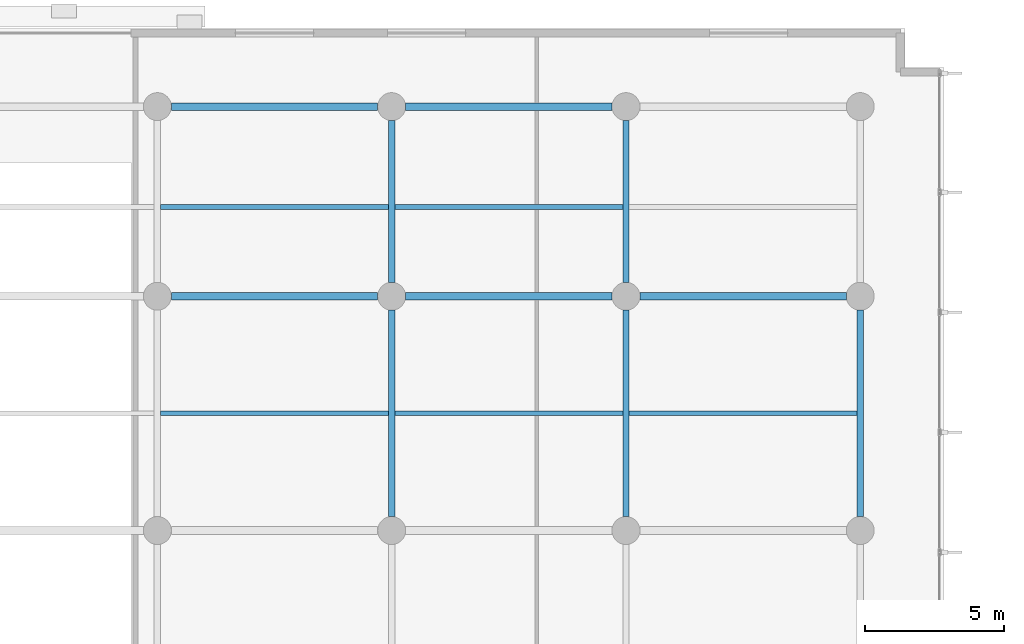
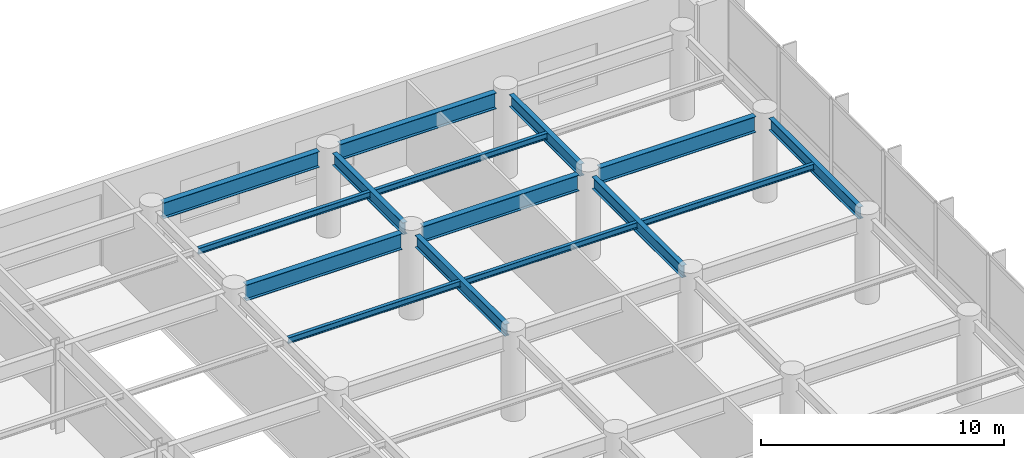
# One storey, part 10 of 26: 15 beams.
"""IFC4 building model written with IfcOpenShell, lengths in metres."""

from ifc_helpers import new_model, si_unit, direction, frame, origin, origin_2d, place, context, subcontext, project, spatial, i_section, extrude, material, material_profile, profile_set, type_object, element, save


model = new_model("IFC4")

# Units and contexts
model_context = context("Model", 3, precision=1e-05, world=origin(), true_north=direction((0.0, 1.0)))
body_context = subcontext(model_context, "Body", "Model", "MODEL_VIEW")
ifc_project = project(units=[si_unit("LENGTHUNIT", "METRE"), si_unit("AREAUNIT", "SQUARE_METRE"), si_unit("VOLUMEUNIT", "CUBIC_METRE"), si_unit("PLANEANGLEUNIT", "RADIAN"), si_unit("MASSUNIT", "GRAM", prefix="KILO")], contexts=[model_context])

# Site, building, storey
site_placement = place(None, origin())
site = spatial("IfcSite", under=ifc_project, at=site_placement, CompositionType="ELEMENT")
building_placement = place(site_placement, origin())
building = spatial("IfcBuilding", under=site, at=building_placement, Name="Varnakote Quay Hospital", CompositionType="ELEMENT")
storey_placement = place(building_placement, origin())
storey = spatial("IfcBuildingStorey", under=building, at=storey_placement, Name="L00", CompositionType="ELEMENT", Elevation=0.0)

# Beams
ifc_material_1 = material(Name="Structural steel AS/NZS 3679.1 Grade 350 L0 (fy 340 MPa)", Category="steel")
ifc_material_profile_1 = material_profile(ifc_material_1, i_section(OverallWidth=0.22802734375, OverallDepth=0.60205078125, WebThickness=0.010498046875, FlangeThickness=0.014892578125, FilletRadius=0.013916015625, at=origin_2d()), Name="610UB101")
ifc_profile_set_1 = profile_set([ifc_material_profile_1], Name="Structural steel AS/NZS 3679.1 Grade 350 L0 (fy 340 MPa)")
beam_type_1 = type_object("IfcBeamType", Name="BM-STL-610UB101", PredefinedType="BEAM", material=ifc_profile_set_1)
beam_1_placement = place(storey_placement, frame((67.199951171875, 29.300048828125, 3.948974609375), z_axis=(0.0, 1.0, 0.0), x_axis=(-1.0, 0.0, 0.0)))
element("IfcBeam", 1, at=beam_1_placement, inside=storey, type_object=beam_type_1, Name="L00 Primary Tie Beam", PredefinedType="BEAM", context=body_context, shape_type="SweptSolid", body=[
    extrude(i_section(OverallWidth=0.22802734375, OverallDepth=0.60205078125, WebThickness=0.010498046875, FlangeThickness=0.014892578125, FilletRadius=0.013916015625, at=origin_2d()), origin(), (0.0, 0.0, 1.0), 7.39990234375),
])
beam_2_placement = place(storey_placement, frame((67.199951171875, 37.699951171875, 3.948974609375), z_axis=(0.0, 1.0, 0.0), x_axis=(-1.0, 0.0, 0.0)))
element("IfcBeam", 2, at=beam_2_placement, inside=storey, type_object=beam_type_1, Name="L00 Primary Tie Beam", PredefinedType="BEAM", context=body_context, shape_type="SweptSolid", body=[
    extrude(i_section(OverallWidth=0.22802734375, OverallDepth=0.60205078125, WebThickness=0.010498046875, FlangeThickness=0.014892578125, FilletRadius=0.013916015625, at=origin_2d()), origin(), (0.0, 0.0, 1.0), 5.800048828125),
])
beam_3_placement = place(storey_placement, frame((75.60009765625, 29.300048828125, 3.948974609375), z_axis=(0.0, 1.0, 0.0), x_axis=(-1.0, 0.0, 0.0)))
element("IfcBeam", 3, at=beam_3_placement, inside=storey, type_object=beam_type_1, Name="L00 Primary Tie Beam", PredefinedType="BEAM", context=body_context, shape_type="SweptSolid", body=[
    extrude(i_section(OverallWidth=0.22802734375, OverallDepth=0.60205078125, WebThickness=0.010498046875, FlangeThickness=0.014892578125, FilletRadius=0.013916015625, at=origin_2d()), origin(), (0.0, 0.0, 1.0), 7.39990234375),
])
beam_4_placement = place(storey_placement, frame((75.60009765625, 37.699951171875, 3.948974609375), z_axis=(0.0, 1.0, 0.0), x_axis=(-1.0, 0.0, 0.0)))
element("IfcBeam", 4, at=beam_4_placement, inside=storey, type_object=beam_type_1, Name="L00 Primary Tie Beam", PredefinedType="BEAM", context=body_context, shape_type="SweptSolid", body=[
    extrude(i_section(OverallWidth=0.22802734375, OverallDepth=0.60205078125, WebThickness=0.010498046875, FlangeThickness=0.014892578125, FilletRadius=0.013916015625, at=origin_2d()), origin(), (0.0, 0.0, 1.0), 5.800048828125),
])
beam_5_placement = place(storey_placement, frame((84.0, 29.300048828125, 3.948974609375), z_axis=(0.0, 1.0, 0.0), x_axis=(-1.0, 0.0, 0.0)))
element("IfcBeam", 5, at=beam_5_placement, inside=storey, type_object=beam_type_1, Name="L00 Primary Tie Beam", PredefinedType="BEAM", context=body_context, shape_type="SweptSolid", body=[
    extrude(i_section(OverallWidth=0.22802734375, OverallDepth=0.60205078125, WebThickness=0.010498046875, FlangeThickness=0.014892578125, FilletRadius=0.013916015625, at=origin_2d()), origin(), (0.0, 0.0, 1.0), 7.39990234375),
])
ifc_material_2 = material(Name="Structural steel AS/NZS 3678 Grade 350 (fy 340 MPa)", Category="steel")
ifc_material_profile_2 = material_profile(ifc_material_2, i_section(OverallWidth=0.27490234375, OverallDepth=0.800048828125, WebThickness=0.010009765625, FlangeThickness=0.02001953125, at=origin_2d()), Name="800WB146")
ifc_profile_set_2 = profile_set([ifc_material_profile_2], Name="Structural steel AS/NZS 3678 Grade 350 (fy 340 MPa)")
beam_type_2 = type_object("IfcBeamType", Name="BM-STL-800WB146", PredefinedType="BEAM", material=ifc_profile_set_2)
beam_6_placement = place(storey_placement, frame((59.300048828125, 37.199951171875, 3.85009765625), z_axis=(1.0, 0.0, 0.0), x_axis=(0.0, 1.0, 0.0)))
element("IfcBeam", 6, at=beam_6_placement, inside=storey, type_object=beam_type_2, Name="L00 Primary Floor Beam", PredefinedType="BEAM", context=body_context, shape_type="SweptSolid", body=[
    extrude(i_section(OverallWidth=0.27490234375, OverallDepth=0.800048828125, WebThickness=0.010009765625, FlangeThickness=0.02001953125, at=origin_2d()), origin(), (0.0, 0.0, 1.0), 7.39990234375),
])
beam_7_placement = place(storey_placement, frame((67.699951171875, 37.199951171875, 3.85009765625), z_axis=(1.0, 0.0, 0.0), x_axis=(0.0, 1.0, 0.0)))
element("IfcBeam", 7, at=beam_7_placement, inside=storey, type_object=beam_type_2, Name="L00 Primary Floor Beam", PredefinedType="BEAM", context=body_context, shape_type="SweptSolid", body=[
    extrude(i_section(OverallWidth=0.27490234375, OverallDepth=0.800048828125, WebThickness=0.010009765625, FlangeThickness=0.02001953125, at=origin_2d()), origin(), (0.0, 0.0, 1.0), 7.400146484375),
])
for number, where, z_axis, x_axis, name in (
    (8, (76.10009765625, 37.199951171875, 3.85009765625), (1.0, 0.0, 0.0), (0.0, 1.0, 0.0), "L00 Primary Floor Beam"),
    (9, (59.300048828125, 44.0, 3.85009765625), (1.0, 0.0, 0.0), (0.0, 1.0, 0.0), "L00 Primary Floor Beam"),
):
    element("IfcBeam", number, at=place(storey_placement, frame(where, z_axis=z_axis, x_axis=x_axis)), inside=storey, type_object=beam_type_2, Name=name, PredefinedType="BEAM", context=body_context, shape_type="SweptSolid", body=[
        extrude(i_section(OverallWidth=0.27490234375, OverallDepth=0.800048828125, WebThickness=0.010009765625, FlangeThickness=0.02001953125, at=origin_2d()), origin(), (0.0, 0.0, 1.0), 7.39990234375),
    ])
beam_8_placement = place(storey_placement, frame((67.699951171875, 44.0, 3.85009765625), z_axis=(1.0, 0.0, 0.0), x_axis=(0.0, 1.0, 0.0)))
element("IfcBeam", 10, at=beam_8_placement, inside=storey, type_object=beam_type_2, Name="L00 Primary Floor Beam", PredefinedType="BEAM", context=body_context, shape_type="SweptSolid", body=[
    extrude(i_section(OverallWidth=0.27490234375, OverallDepth=0.800048828125, WebThickness=0.010009765625, FlangeThickness=0.02001953125, at=origin_2d()), origin(), (0.0, 0.0, 1.0), 7.400146484375),
])
ifc_material_3 = material(Name="Structural steel AS/NZS 3679.1 Grade 350 L0 (fy 340 MPa)", Category="steel")
ifc_material_profile_3 = material_profile(ifc_material_3, i_section(OverallWidth=0.1650390625, OverallDepth=0.303955078125, WebThickness=0.006103515625, FlangeThickness=0.01025390625, FilletRadius=0.011474609375, at=origin_2d()), Name="310UB40.4")
ifc_profile_set_3 = profile_set([ifc_material_profile_3], Name="Structural steel AS/NZS 3679.1 Grade 350 L0 (fy 340 MPa)")
beam_type_3 = type_object("IfcBeamType", Name="JST-STL-310UB40-4", PredefinedType="JOIST", material=ifc_profile_set_3)
beam_9_placement = place(storey_placement, frame((58.9140625, 33.0, 4.097900390625), z_axis=(1.0, 0.0, 0.0), x_axis=(0.0, 1.0, 0.0)))
element("IfcBeam", 11, at=beam_9_placement, inside=storey, type_object=beam_type_3, Name="L00 Composite Floor Joist", PredefinedType="JOIST", context=body_context, shape_type="SweptSolid", body=[
    extrude(i_section(OverallWidth=0.1650390625, OverallDepth=0.303955078125, WebThickness=0.006103515625, FlangeThickness=0.01025390625, FilletRadius=0.011474609375, at=origin_2d()), origin(), (0.0, 0.0, 1.0), 8.171875),
])
beam_10_placement = place(storey_placement, frame((67.31396484375, 33.0, 4.097900390625), z_axis=(1.0, 0.0, 0.0), x_axis=(0.0, 1.0, 0.0)))
element("IfcBeam", 12, at=beam_10_placement, inside=storey, type_object=beam_type_3, Name="L00 Composite Floor Joist", PredefinedType="JOIST", context=body_context, shape_type="SweptSolid", body=[
    extrude(i_section(OverallWidth=0.1650390625, OverallDepth=0.303955078125, WebThickness=0.006103515625, FlangeThickness=0.01025390625, FilletRadius=0.011474609375, at=origin_2d()), origin(), (0.0, 0.0, 1.0), 8.172119140625),
])
for number, where, z_axis, x_axis, name in (
    (13, (75.714111328125, 33.0, 4.097900390625), (1.0, 0.0, 0.0), (0.0, 1.0, 0.0), "L00 Composite Floor Joist"),
    (14, (58.9140625, 40.39990234375, 4.097900390625), (1.0, 0.0, 0.0), (0.0, 1.0, 0.0), "L00 Composite Floor Joist"),
):
    element("IfcBeam", number, at=place(storey_placement, frame(where, z_axis=z_axis, x_axis=x_axis)), inside=storey, type_object=beam_type_3, Name=name, PredefinedType="JOIST", context=body_context, shape_type="SweptSolid", body=[
        extrude(i_section(OverallWidth=0.1650390625, OverallDepth=0.303955078125, WebThickness=0.006103515625, FlangeThickness=0.01025390625, FilletRadius=0.011474609375, at=origin_2d()), origin(), (0.0, 0.0, 1.0), 8.171875),
    ])
beam_11_placement = place(storey_placement, frame((67.31396484375, 40.39990234375, 4.097900390625), z_axis=(1.0, 0.0, 0.0), x_axis=(0.0, 1.0, 0.0)))
element("IfcBeam", 15, at=beam_11_placement, inside=storey, type_object=beam_type_3, Name="L00 Composite Floor Joist", PredefinedType="JOIST", context=body_context, shape_type="SweptSolid", body=[
    extrude(i_section(OverallWidth=0.1650390625, OverallDepth=0.303955078125, WebThickness=0.006103515625, FlangeThickness=0.01025390625, FilletRadius=0.011474609375, at=origin_2d()), origin(), (0.0, 0.0, 1.0), 8.172119140625),
])

save(model, "model.ifc")
